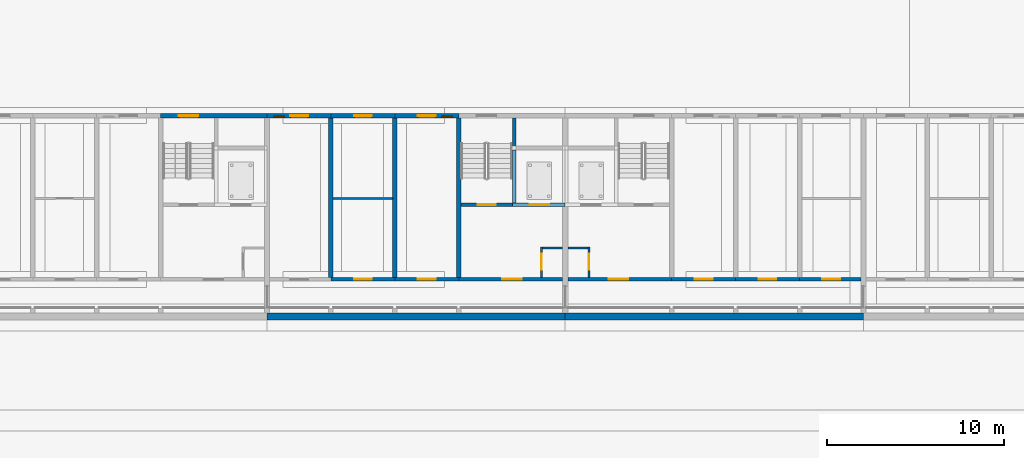
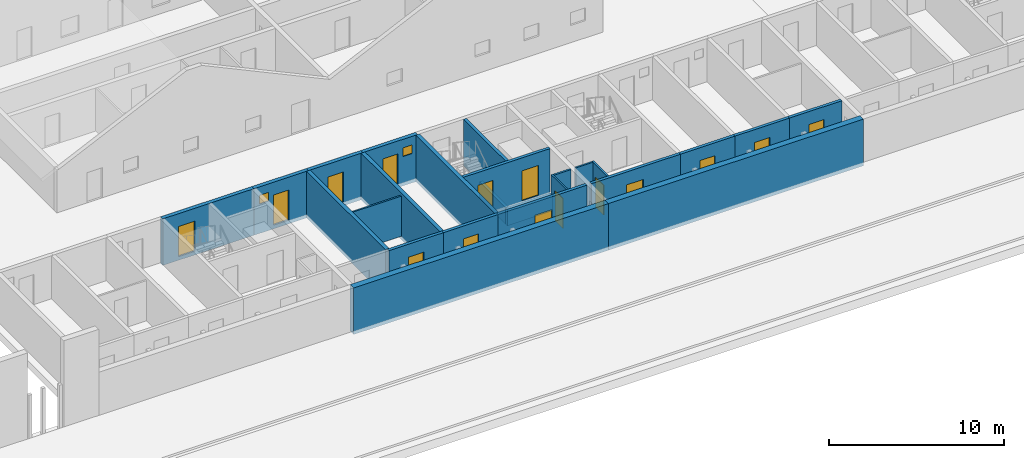
# One storey, part 38 of 112: 25 walls, 15 doors, 2 windows, 17 openings.
"""IFC4 building model written with IfcOpenShell, lengths in metres."""

from ifc_helpers import new_model, si_unit, direction, frame, frame_2d, origin, place, context, subcontext, project, spatial, rectangle, extrude, material, layer, layer_set, type_object, element, fill, save


model = new_model("IFC4")

# Units and contexts
model_context = context("Model", 3, precision=1e-05, world=origin(), true_north=direction((0.0, 1.0)))
body_context = subcontext(model_context, "Body", "Model", "MODEL_VIEW")
ifc_project = project(units=[si_unit("LENGTHUNIT", "METRE"), si_unit("AREAUNIT", "SQUARE_METRE"), si_unit("VOLUMEUNIT", "CUBIC_METRE"), si_unit("PLANEANGLEUNIT", "RADIAN"), si_unit("MASSUNIT", "GRAM", prefix="KILO")], contexts=[model_context])

# Site, building, storey
site_placement = place(None, origin())
site = spatial("IfcSite", under=ifc_project, at=site_placement, CompositionType="ELEMENT")
building_placement = place(site_placement, origin())
building = spatial("IfcBuilding", under=site, at=building_placement, Name="Ridgestep Commons", CompositionType="ELEMENT")
storey_placement = place(building_placement, origin())
storey = spatial("IfcBuildingStorey", under=building, at=storey_placement, Name="L00", CompositionType="ELEMENT", Elevation=0.0)

# Wall
ifc_material_1 = material(Name="Concrete C30/37", Category="concrete")
ifc_layer_1 = layer(ifc_material_1, 0.25)
ifc_layer_set_1 = layer_set([ifc_layer_1], Name="Core cross wall 250")
wall_type_1 = type_object("IfcWallType", Name="Core cross wall 250", PredefinedType="SHEAR", material=ifc_layer_set_1)
wall_1_placement = place(storey_placement, frame((39.60009765625, 13.75, -0.25), z_axis=(0.0, 0.0, 1.0), x_axis=(0.0, 1.0, 0.0)))
element("IfcWall", 1, at=wall_1_placement, inside=storey, type_object=wall_type_1, Name="Cross wall A-00-0396", PredefinedType="SHEAR", context=body_context, shape_type="SweptSolid", body=[
    extrude(rectangle(XDim=9.0, YDim=0.25, at=frame_2d((4.5, 0.0))), origin(), (0.0, 0.0, 1.0), 3.25),
])

# Wall, opening, door
ifc_material_2 = material(Name="Concrete C30/37", Category="concrete")
ifc_layer_2 = layer(ifc_material_2, 0.199951171875)
ifc_layer_set_2 = layer_set([ifc_layer_2], Name="Core south wall 200")
wall_type_2 = type_object("IfcWallType", Name="Core south wall 200", PredefinedType="SHEAR", material=ifc_layer_set_2)
wall_2_placement = place(storey_placement, frame((39.60009765625, 13.64990234375, -0.25), z_axis=(0.0, 0.0, 1.0), x_axis=(1.0, 0.0, 0.0)))
wall_2 = element("IfcWall", 2, at=wall_2_placement, inside=storey, type_object=wall_type_2, Name="Core south wall A2C L00", PredefinedType="SHEAR", context=body_context, shape_type="SweptSolid", body=[
    extrude(rectangle(XDim=5.849853515625, YDim=0.199951171875, at=frame_2d((2.9248046875, 0.0))), origin(), (0.0, 0.0, 1.0), 3.25),
])
opening_1_placement = place(wall_2_placement, frame((2.4375, 0.0, 0.25)))
opening_1 = element("IfcOpeningElement", 3, at=opening_1_placement, cuts=wall_2, Name="Opening A2C/00/1", PredefinedType="OPENING", context=body_context, shape_type="SweptSolid", body=[
    extrude(rectangle(XDim=1.10009765625, YDim=2.10009765625, at=frame_2d((0.550048828125, 1.050048828125))), frame((0.0, 0.10986328125, 0.0), z_axis=(0.0, -1.0, 0.0), x_axis=(1.0, 0.0, 0.0)), (0.0, 0.0, 1.0), 0.219970703125),
])
ifc_material_3 = material(Name="Steel fire door", Category="steel")
door_type_1 = type_object("IfcDoorType", Name="Lobby door 1100 x 2100 FD60", OperationType="NOTDEFINED", PredefinedType="DOOR", material=ifc_material_3)
door_1_placement = place(opening_1_placement, origin())
door_1 = element("IfcDoor", 4, at=door_1_placement, inside=storey, type_object=door_type_1, Name="Lobby door A2C/00/1", OperationType="SINGLE_SWING_LEFT", OverallHeight=2.10009765625, OverallWidth=1.10009765625, PredefinedType="DOOR", context=body_context, shape_type="SweptSolid", body=[
    extrude(rectangle(XDim=1.10009765625, YDim=2.10009765625, at=frame_2d((0.550048828125, 1.050048828125))), frame((0.0, 0.02490234375, 0.0), z_axis=(0.0, -1.0, 0.0), x_axis=(1.0, 0.0, 0.0)), (0.0, 0.0, 1.0), 0.050048828125),
])
fill(opening_1, door_1)

wall_3_placement = place(storey_placement, frame((45.75, 13.64990234375, -0.25), z_axis=(0.0, 0.0, 1.0), x_axis=(1.0, 0.0, 0.0)))
wall_3 = element("IfcWall", 5, at=wall_3_placement, inside=storey, type_object=wall_type_2, Name="Core south wall A3C L00", PredefinedType="SHEAR", context=body_context, shape_type="SweptSolid", body=[
    extrude(rectangle(XDim=5.85009765625, YDim=0.199951171875, at=frame_2d((2.925048828125, 0.0))), origin(), (0.0, 0.0, 1.0), 3.25),
])
opening_2_placement = place(wall_3_placement, frame((2.3125, 0.0, 0.25)))
opening_2 = element("IfcOpeningElement", 6, at=opening_2_placement, cuts=wall_3, Name="Opening A3C/00/1", PredefinedType="OPENING", context=body_context, shape_type="SweptSolid", body=[
    extrude(rectangle(XDim=1.10009765625, YDim=2.10009765625, at=frame_2d((0.550048828125, 1.050048828125))), frame((0.0, 0.10986328125, 0.0), z_axis=(0.0, -1.0, 0.0), x_axis=(1.0, 0.0, 0.0)), (0.0, 0.0, 1.0), 0.219970703125),
])
door_2_placement = place(opening_2_placement, origin())
door_2 = element("IfcDoor", 7, at=door_2_placement, inside=storey, type_object=door_type_1, Name="Lobby door A3C/00/1", OperationType="SINGLE_SWING_LEFT", OverallHeight=2.10009765625, OverallWidth=1.10009765625, PredefinedType="DOOR", context=body_context, shape_type="SweptSolid", body=[
    extrude(rectangle(XDim=1.10009765625, YDim=2.10009765625, at=frame_2d((0.550048828125, 1.050048828125))), frame((0.0, 0.02490234375, 0.0), z_axis=(0.0, -1.0, 0.0), x_axis=(1.0, 0.0, 0.0)), (0.0, 0.0, 1.0), 0.050048828125),
])
fill(opening_2, door_2)

ifc_material_4 = material(Name="Concrete C30/37", Category="concrete")
ifc_layer_3 = layer(ifc_material_4, 0.1201171875)
ifc_layer_set_3 = layer_set([ifc_layer_3], Name="Core wall 120")
wall_type_3 = type_object("IfcWallType", Name="Core wall 120", PredefinedType="SHEAR", material=ifc_layer_set_3)
wall_4_placement = place(storey_placement, frame((44.260009765625, 13.75, -0.25), z_axis=(0.0, 0.0, 1.0), x_axis=(0.0, 1.0, 0.0)))
wall_4 = element("IfcWall", 8, at=wall_4_placement, inside=storey, type_object=wall_type_3, Name="Core riser w wall A2C L00", PredefinedType="SHEAR", context=body_context, shape_type="SweptSolid", body=[
    extrude(rectangle(XDim=1.719970703125, YDim=0.1201171875, at=frame_2d((0.85986328125, 0.0))), origin(), (0.0, 0.0, 1.0), 3.25),
])
opening_3_placement = place(wall_4_placement, frame((0.449951171875, 0.0, 0.25)))
opening_3 = element("IfcOpeningElement", 9, at=opening_3_placement, cuts=wall_4, Name="Opening A2C/00/4", PredefinedType="OPENING", context=body_context, shape_type="SweptSolid", body=[
    extrude(rectangle(XDim=0.89990234375, YDim=2.10009765625, at=frame_2d((0.449951171875, 1.050048828125))), frame((0.0, 0.070068359375, 0.0), z_axis=(0.0, -1.0, 0.0), x_axis=(1.0, 0.0, 0.0)), (0.0, 0.0, 1.0), 0.14013671875),
])
ifc_material_5 = material(Name="Steel fire door", Category="steel")
door_type_2 = type_object("IfcDoorType", Name="Riser door 900 x 2100 FD60", OperationType="NOTDEFINED", PredefinedType="DOOR", material=ifc_material_5)
door_3_placement = place(opening_3_placement, origin())
door_3 = element("IfcDoor", 10, at=door_3_placement, inside=storey, type_object=door_type_2, Name="Riser door A2C/00/4", OperationType="SINGLE_SWING_LEFT", OverallHeight=2.10009765625, OverallWidth=0.89990234375, PredefinedType="DOOR", context=body_context, shape_type="SweptSolid", body=[
    extrude(rectangle(XDim=0.89990234375, YDim=2.10009765625, at=frame_2d((0.449951171875, 1.050048828125))), frame((0.0, 0.02490234375, 0.0), z_axis=(0.0, -1.0, 0.0), x_axis=(1.0, 0.0, 0.0)), (0.0, 0.0, 1.0), 0.050048828125),
])
fill(opening_3, door_3)

# Wall
wall_5_placement = place(storey_placement, frame((44.320068359375, 15.409912109375, -0.25), z_axis=(0.0, 0.0, 1.0), x_axis=(1.0, 0.0, 0.0)))
element("IfcWall", 11, at=wall_5_placement, inside=storey, type_object=wall_type_3, Name="Core riser n wall A2C L00", PredefinedType="SHEAR", context=body_context, shape_type="SweptSolid", body=[
    extrude(rectangle(XDim=1.1298828125, YDim=0.1201171875, at=frame_2d((0.56494140625, 0.0))), origin(), (0.0, 0.0, 1.0), 3.25),
])

# Wall, opening, door
wall_6_placement = place(storey_placement, frame((46.93994140625, 13.75, -0.25), z_axis=(0.0, 0.0, 1.0), x_axis=(0.0, 1.0, 0.0)))
wall_6 = element("IfcWall", 12, at=wall_6_placement, inside=storey, type_object=wall_type_3, Name="Core riser w wall A3C L00", PredefinedType="SHEAR", context=body_context, shape_type="SweptSolid", body=[
    extrude(rectangle(XDim=1.719970703125, YDim=0.1201171875, at=frame_2d((0.85986328125, 0.0))), origin(), (0.0, 0.0, 1.0), 3.25),
])
opening_4_placement = place(wall_6_placement, frame((0.449951171875, 0.0, 0.25)))
opening_4 = element("IfcOpeningElement", 13, at=opening_4_placement, cuts=wall_6, Name="Opening A3C/00/4", PredefinedType="OPENING", context=body_context, shape_type="SweptSolid", body=[
    extrude(rectangle(XDim=0.89990234375, YDim=2.10009765625, at=frame_2d((0.449951171875, 1.050048828125))), frame((0.0, 0.070068359375, 0.0), z_axis=(0.0, -1.0, 0.0), x_axis=(1.0, 0.0, 0.0)), (0.0, 0.0, 1.0), 0.14013671875),
])
door_4_placement = place(opening_4_placement, origin())
door_4 = element("IfcDoor", 14, at=door_4_placement, inside=storey, type_object=door_type_2, Name="Riser door A3C/00/4", OperationType="SINGLE_SWING_RIGHT", OverallHeight=2.10009765625, OverallWidth=0.89990234375, PredefinedType="DOOR", context=body_context, shape_type="SweptSolid", body=[
    extrude(rectangle(XDim=0.89990234375, YDim=2.10009765625, at=frame_2d((0.449951171875, 1.050048828125))), frame((0.0, 0.02490234375, 0.0), z_axis=(0.0, -1.0, 0.0), x_axis=(1.0, 0.0, 0.0)), (0.0, 0.0, 1.0), 0.050048828125),
])
fill(opening_4, door_4)

# Wall
wall_7_placement = place(storey_placement, frame((45.75, 15.409912109375, -0.25), z_axis=(0.0, 0.0, 1.0), x_axis=(1.0, 0.0, 0.0)))
element("IfcWall", 15, at=wall_7_placement, inside=storey, type_object=wall_type_3, Name="Core riser n wall A3C L00", PredefinedType="SHEAR", context=body_context, shape_type="SweptSolid", body=[
    extrude(rectangle(XDim=1.1298828125, YDim=0.1201171875, at=frame_2d((0.56494140625, 0.0))), origin(), (0.0, 0.0, 1.0), 3.25),
])

# Wall, openings, doors
ifc_material_6 = material(Name="Concrete C30/37", Category="concrete")
ifc_layer_4 = layer(ifc_material_6, 0.199951171875)
ifc_layer_set_4 = layer_set([ifc_layer_4], Name="Core wall 200")
wall_type_4 = type_object("IfcWallType", Name="Core wall 200", PredefinedType="SHEAR", material=ifc_layer_set_4)
wall_8_placement = place(storey_placement, frame((39.72509765625, 17.85009765625, -0.25), z_axis=(0.0, 0.0, 1.0), x_axis=(1.0, 0.0, 0.0)))
wall_8 = element("IfcWall", 16, at=wall_8_placement, inside=storey, type_object=wall_type_4, Name="Core lobby wall A2C L00", PredefinedType="SHEAR", context=body_context, shape_type="SweptSolid", body=[
    extrude(rectangle(XDim=5.724853515625, YDim=0.199951171875, at=frame_2d((2.8623046875, 0.0))), origin(), (0.0, 0.0, 1.0), 3.25),
])
opening_5_placement = place(wall_8_placement, frame((0.949951171875, 0.0, 0.25)))
opening_5 = element("IfcOpeningElement", 17, at=opening_5_placement, cuts=wall_8, Name="Opening A2C/00/2", PredefinedType="OPENING", context=body_context, shape_type="SweptSolid", body=[
    extrude(rectangle(XDim=1.0, YDim=2.10009765625, at=frame_2d((0.5, 1.050048828125))), frame((0.0, 0.10986328125, 0.0), z_axis=(0.0, -1.0, 0.0), x_axis=(1.0, 0.0, 0.0)), (0.0, 0.0, 1.0), 0.219970703125),
])
opening_6_placement = place(wall_8_placement, frame((3.862548828125, 0.0, 0.25)))
opening_6 = element("IfcOpeningElement", 18, at=opening_6_placement, cuts=wall_8, Name="Opening A2C/00/3", PredefinedType="OPENING", context=body_context, shape_type="SweptSolid", body=[
    extrude(rectangle(XDim=1.10009765625, YDim=2.10009765625, at=frame_2d((0.550048828125, 1.050048828125))), frame((0.0, 0.10986328125, 0.0), z_axis=(0.0, -1.0, 0.0), x_axis=(1.0, 0.0, 0.0)), (0.0, 0.0, 1.0), 0.219970703125),
])
ifc_material_7 = material(Name="Stainless steel", Category="steel")
door_type_3 = type_object("IfcDoorType", Name="Lift landing door 1100 x 2100 FD60", OperationType="DOUBLE_DOOR_SLIDING", PredefinedType="DOOR", material=ifc_material_7)
door_5_placement = place(opening_6_placement, origin())
door_5 = element("IfcDoor", 19, at=door_5_placement, inside=storey, type_object=door_type_3, Name="Landing door LD A2C L00", OperationType="DOUBLE_DOOR_SLIDING", OverallHeight=2.10009765625, OverallWidth=1.10009765625, PredefinedType="DOOR", context=body_context, shape_type="SweptSolid", body=[
    extrude(rectangle(XDim=1.10009765625, YDim=2.10009765625, at=frame_2d((0.550048828125, 1.050048828125))), frame((0.0, 0.02490234375, 0.0), z_axis=(0.0, -1.0, 0.0), x_axis=(1.0, 0.0, 0.0)), (0.0, 0.0, 1.0), 0.050048828125),
])
fill(opening_6, door_5)
ifc_material_8 = material(Name="Steel fire door", Category="steel")
door_type_4 = type_object("IfcDoorType", Name="Stair door 1000 x 2100 FD60", OperationType="NOTDEFINED", PredefinedType="DOOR", material=ifc_material_8)
door_6_placement = place(opening_5_placement, origin())
door_6 = element("IfcDoor", 20, at=door_6_placement, inside=storey, type_object=door_type_4, Name="Stair door A2C/00/2", OperationType="SINGLE_SWING_RIGHT", OverallHeight=2.10009765625, OverallWidth=1.0, PredefinedType="DOOR", context=body_context, shape_type="SweptSolid", body=[
    extrude(rectangle(XDim=1.0, YDim=2.10009765625, at=frame_2d((0.5, 1.050048828125))), frame((0.0, 0.02490234375, 0.0), z_axis=(0.0, -1.0, 0.0), x_axis=(1.0, 0.0, 0.0)), (0.0, 0.0, 1.0), 0.050048828125),
])
fill(opening_5, door_6)

# Walls
wall_9_placement = place(storey_placement, frame((42.72509765625, 17.949951171875, -0.25), z_axis=(0.0, 0.0, 1.0), x_axis=(0.0, 1.0, 0.0)))
element("IfcWall", 21, at=wall_9_placement, inside=storey, type_object=wall_type_4, Name="Core stair wall A2C L00", PredefinedType="SHEAR", context=body_context, shape_type="SweptSolid", body=[
    extrude(rectangle(XDim=4.800048828125, YDim=0.199951171875, at=frame_2d((2.39990234375, 0.0))), origin(), (0.0, 0.0, 1.0), 3.25),
])
wall_10_placement = place(storey_placement, frame((42.625, 17.85009765625, -1.39990234375), z_axis=(0.0, 0.0, 1.0), x_axis=(1.0, 0.0, 0.0)))
element("IfcWall", 22, at=wall_10_placement, inside=storey, type_object=wall_type_4, Name="Lift pit wall A2C", PredefinedType="SHEAR", context=body_context, shape_type="SweptSolid", body=[
    extrude(rectangle(XDim=2.97509765625, YDim=0.199951171875, at=frame_2d((1.487548828125, 0.0))), origin(), (0.0, 0.0, 1.0), 1.14990234375),
])
wall_11_placement = place(storey_placement, frame((42.72509765625, 17.949951171875, -1.39990234375), z_axis=(0.0, 0.0, 1.0), x_axis=(0.0, 1.0, 0.0)))
element("IfcWall", 23, at=wall_11_placement, inside=storey, type_object=wall_type_4, Name="Lift pit wall A2C", PredefinedType="SHEAR", context=body_context, shape_type="SweptSolid", body=[
    extrude(rectangle(XDim=3.0, YDim=0.199951171875, at=frame_2d((1.5, 0.0))), origin(), (0.0, 0.0, 1.0), 1.14990234375),
])
ifc_material_9 = material(Name="Precast concrete C40/50", Category="concrete")
ifc_layer_5 = layer(ifc_material_9, 0.25)
ifc_layer_set_5 = layer_set([ifc_layer_5], Name="Cross wall 250")
wall_type_5 = type_object("IfcWallType", Name="Cross wall 250", PredefinedType="SHEAR", material=ifc_layer_set_5)
for number, where, z_axis, x_axis, name in (
    (24, (32.39990234375, 13.75, -0.25), (0.0, 0.0, 1.0), (0.0, 1.0, 0.0), "Cross wall A-00-0324"),
    (25, (36.0, 13.75, -0.25), (0.0, 0.0, 1.0), (0.0, 1.0, 0.0), "Cross wall A-00-0360"),
):
    element("IfcWall", number, at=place(storey_placement, frame(where, z_axis=z_axis, x_axis=x_axis)), inside=storey, type_object=wall_type_5, Name=name, PredefinedType="SHEAR", context=body_context, shape_type="SweptSolid", body=[
        extrude(rectangle(XDim=9.0, YDim=0.25, at=frame_2d((4.5, 0.0))), origin(), (0.0, 0.0, 1.0), 3.25),
    ])

# Wall, opening, door
ifc_material_10 = material(Name="Precast concrete C40/50", Category="concrete")
ifc_layer_6 = layer(ifc_material_10, 0.25)
ifc_layer_set_6 = layer_set([ifc_layer_6], Name="North facade panel 250")
wall_type_6 = type_object("IfcWallType", Name="North facade panel 250", PredefinedType="SOLIDWALL", material=ifc_layer_set_6)
wall_12_placement = place(storey_placement, frame((22.800048828125, 22.875, -0.25), z_axis=(0.0, 0.0, 1.0), x_axis=(1.0, 0.0, 0.0)))
wall_12 = element("IfcWall", 26, at=wall_12_placement, inside=storey, type_object=wall_type_6, Name="North panel A1C L00", PredefinedType="SOLIDWALL", context=body_context, shape_type="SweptSolid", body=[
    extrude(rectangle(XDim=6.0, YDim=0.25, at=frame_2d((3.0, 0.0))), origin(), (0.0, 0.0, 1.0), 3.25),
])
opening_7_placement = place(wall_12_placement, frame((1.02490234375, 0.0, 0.25)))
opening_7 = element("IfcOpeningElement", 27, at=opening_7_placement, cuts=wall_12, Name="Opening A1C/00/5", PredefinedType="OPENING", context=body_context, shape_type="SweptSolid", body=[
    extrude(rectangle(XDim=1.10009765625, YDim=2.10009765625, at=frame_2d((0.550048828125, 1.050048828125))), frame((0.0, 0.135009765625, 0.0), z_axis=(0.0, -1.0, 0.0), x_axis=(1.0, 0.0, 0.0)), (0.0, 0.0, 1.0), 0.27001953125),
])
ifc_material_11 = material(Name="Steel fire door", Category="steel")
door_type_5 = type_object("IfcDoorType", Name="Stair exit door 1100 x 2100 FD60", OperationType="NOTDEFINED", PredefinedType="DOOR", material=ifc_material_11)
door_7_placement = place(opening_7_placement, origin())
door_7 = element("IfcDoor", 28, at=door_7_placement, inside=storey, type_object=door_type_5, Name="Stair exit door A1C/00/5", OperationType="SINGLE_SWING_LEFT", OverallHeight=2.10009765625, OverallWidth=1.10009765625, PredefinedType="DOOR", context=body_context, shape_type="SweptSolid", body=[
    extrude(rectangle(XDim=1.10009765625, YDim=2.10009765625, at=frame_2d((0.550048828125, 1.050048828125))), frame((0.0, 0.02490234375, 0.0), z_axis=(0.0, -1.0, 0.0), x_axis=(1.0, 0.0, 0.0)), (0.0, 0.0, 1.0), 0.050048828125),
])
fill(opening_7, door_7)

# Wall, openings, door, window
wall_13_placement = place(storey_placement, frame((28.800048828125, 22.875, -0.25), z_axis=(0.0, 0.0, 1.0), x_axis=(1.0, 0.0, 0.0)))
wall_13 = element("IfcWall", 29, at=wall_13_placement, inside=storey, type_object=wall_type_6, Name="North panel A2T1 L00", PredefinedType="SOLIDWALL", context=body_context, shape_type="SweptSolid", body=[
    extrude(rectangle(XDim=3.599853515625, YDim=0.25, at=frame_2d((1.7998046875, 0.0))), origin(), (0.0, 0.0, 1.0), 3.25),
])
opening_8_placement = place(wall_13_placement, frame((0.38134765625, 0.0, 2.050048828125)))
opening_8 = element("IfcOpeningElement", 30, at=opening_8_placement, cuts=wall_13, Name="Opening W01", PredefinedType="OPENING", context=body_context, shape_type="SweptSolid", body=[
    extrude(rectangle(XDim=0.60009765625, YDim=0.60009765625, at=frame_2d((0.300048828125, 0.300048828125))), frame((0.0, 0.135009765625, 0.0), z_axis=(0.0, -1.0, 0.0), x_axis=(1.0, 0.0, 0.0)), (0.0, 0.0, 1.0), 0.27001953125),
])
opening_9_placement = place(wall_13_placement, frame((1.3125, 0.0, 0.25)))
opening_9 = element("IfcOpeningElement", 31, at=opening_9_placement, cuts=wall_13, Name="Opening A2-00p/2", PredefinedType="OPENING", context=body_context, shape_type="SweptSolid", body=[
    extrude(rectangle(XDim=1.0, YDim=2.10009765625, at=frame_2d((0.5, 1.050048828125))), frame((0.0, 0.135009765625, 0.0), z_axis=(0.0, -1.0, 0.0), x_axis=(1.0, 0.0, 0.0)), (0.0, 0.0, 1.0), 0.27001953125),
])
ifc_material_12 = material(Name="Steel door leaf", Category="steel")
door_type_6 = type_object("IfcDoorType", Name="Exterior door 1000 x 2100", OperationType="NOTDEFINED", PredefinedType="DOOR", material=ifc_material_12)
door_8_placement = place(opening_9_placement, origin())
door_8 = element("IfcDoor", 32, at=door_8_placement, inside=storey, type_object=door_type_6, Name="Exterior door A2-00p/2", OperationType="SINGLE_SWING_LEFT", OverallHeight=2.10009765625, OverallWidth=1.0, PredefinedType="DOOR", context=body_context, shape_type="SweptSolid", body=[
    extrude(rectangle(XDim=1.0, YDim=2.10009765625, at=frame_2d((0.5, 1.050048828125))), frame((0.0, 0.02490234375, 0.0), z_axis=(0.0, -1.0, 0.0), x_axis=(1.0, 0.0, 0.0)), (0.0, 0.0, 1.0), 0.050048828125),
])
fill(opening_9, door_8)
ifc_material_13 = material(Name="Aluminium 6063-T6 and glass", Category="aluminium")
window_type = type_object("IfcWindowType", Name="Flat window 600 x 600", PartitioningType="SINGLE_PANEL", PredefinedType="WINDOW", material=ifc_material_13)
window_1_placement = place(opening_8_placement, origin())
window_1 = element("IfcWindow", 33, at=window_1_placement, inside=storey, type_object=window_type, Name="Window A2-00p 2", OverallHeight=0.60009765625, OverallWidth=0.60009765625, PartitioningType="SINGLE_PANEL", PredefinedType="WINDOW", context=body_context, shape_type="SweptSolid", body=[
    extrude(rectangle(XDim=0.60009765625, YDim=0.60009765625, at=frame_2d((0.300048828125, 0.300048828125))), frame((0.0, -0.02490234375, 0.0), z_axis=(0.0, -1.0, 0.0), x_axis=(1.0, 0.0, 0.0)), (0.0, 0.0, 1.0), 0.06005859375),
])
fill(opening_8, window_1)

# Wall, opening, door
wall_14_placement = place(storey_placement, frame((32.39990234375, 22.875, -0.25), z_axis=(0.0, 0.0, 1.0), x_axis=(1.0, 0.0, 0.0)))
wall_14 = element("IfcWall", 34, at=wall_14_placement, inside=storey, type_object=wall_type_6, Name="North panel A2T2 L00", PredefinedType="SOLIDWALL", context=body_context, shape_type="SweptSolid", body=[
    extrude(rectangle(XDim=3.60009765625, YDim=0.25, at=frame_2d((1.800048828125, 0.0))), origin(), (0.0, 0.0, 1.0), 3.25),
])
opening_10_placement = place(wall_14_placement, frame((1.300048828125, 0.0, 0.25)))
opening_10 = element("IfcOpeningElement", 35, at=opening_10_placement, cuts=wall_14, Name="Opening A2-00p/4", PredefinedType="OPENING", context=body_context, shape_type="SweptSolid", body=[
    extrude(rectangle(XDim=1.0, YDim=2.10009765625, at=frame_2d((0.5, 1.050048828125))), frame((0.0, 0.135009765625, 0.0), z_axis=(0.0, -1.0, 0.0), x_axis=(1.0, 0.0, 0.0)), (0.0, 0.0, 1.0), 0.27001953125),
])
door_9_placement = place(opening_10_placement, origin())
door_9 = element("IfcDoor", 36, at=door_9_placement, inside=storey, type_object=door_type_6, Name="Exterior door A2-00p/4", OperationType="SINGLE_SWING_LEFT", OverallHeight=2.10009765625, OverallWidth=1.0, PredefinedType="DOOR", context=body_context, shape_type="SweptSolid", body=[
    extrude(rectangle(XDim=1.0, YDim=2.10009765625, at=frame_2d((0.5, 1.050048828125))), frame((0.0, 0.02490234375, 0.0), z_axis=(0.0, -1.0, 0.0), x_axis=(1.0, 0.0, 0.0)), (0.0, 0.0, 1.0), 0.050048828125),
])
fill(opening_10, door_9)

# Wall, openings, door, window
wall_15_placement = place(storey_placement, frame((36.0, 22.875, -0.25), z_axis=(0.0, 0.0, 1.0), x_axis=(1.0, 0.0, 0.0)))
wall_15 = element("IfcWall", 37, at=wall_15_placement, inside=storey, type_object=wall_type_6, Name="North panel A2T3 L00", PredefinedType="SOLIDWALL", context=body_context, shape_type="SweptSolid", body=[
    extrude(rectangle(XDim=3.60009765625, YDim=0.25, at=frame_2d((1.800048828125, 0.0))), origin(), (0.0, 0.0, 1.0), 3.25),
])
opening_11_placement = place(wall_15_placement, frame((2.637451171875, 0.0, 2.050048828125)))
opening_11 = element("IfcOpeningElement", 38, at=opening_11_placement, cuts=wall_15, Name="Opening W01", PredefinedType="OPENING", context=body_context, shape_type="SweptSolid", body=[
    extrude(rectangle(XDim=0.60009765625, YDim=0.60009765625, at=frame_2d((0.300048828125, 0.300048828125))), frame((0.0, 0.135009765625, 0.0), z_axis=(0.0, -1.0, 0.0), x_axis=(1.0, 0.0, 0.0)), (0.0, 0.0, 1.0), 0.27001953125),
])
opening_12_placement = place(wall_15_placement, frame((1.300048828125, 0.0, 0.25)))
opening_12 = element("IfcOpeningElement", 39, at=opening_12_placement, cuts=wall_15, Name="Opening A2-00p/6", PredefinedType="OPENING", context=body_context, shape_type="SweptSolid", body=[
    extrude(rectangle(XDim=1.0, YDim=2.10009765625, at=frame_2d((0.5, 1.050048828125))), frame((0.0, 0.135009765625, 0.0), z_axis=(0.0, -1.0, 0.0), x_axis=(1.0, 0.0, 0.0)), (0.0, 0.0, 1.0), 0.27001953125),
])
door_10_placement = place(opening_12_placement, origin())
door_10 = element("IfcDoor", 40, at=door_10_placement, inside=storey, type_object=door_type_6, Name="Exterior door A2-00p/6", OperationType="SINGLE_SWING_LEFT", OverallHeight=2.10009765625, OverallWidth=1.0, PredefinedType="DOOR", context=body_context, shape_type="SweptSolid", body=[
    extrude(rectangle(XDim=1.0, YDim=2.10009765625, at=frame_2d((0.5, 1.050048828125))), frame((0.0, 0.02490234375, 0.0), z_axis=(0.0, -1.0, 0.0), x_axis=(1.0, 0.0, 0.0)), (0.0, 0.0, 1.0), 0.050048828125),
])
fill(opening_12, door_10)
window_2_placement = place(opening_11_placement, origin())
window_2 = element("IfcWindow", 41, at=window_2_placement, inside=storey, type_object=window_type, Name="Window A2-00p 4", OverallHeight=0.60009765625, OverallWidth=0.60009765625, PartitioningType="SINGLE_PANEL", PredefinedType="WINDOW", context=body_context, shape_type="SweptSolid", body=[
    extrude(rectangle(XDim=0.60009765625, YDim=0.60009765625, at=frame_2d((0.300048828125, 0.300048828125))), frame((0.0, -0.02490234375, 0.0), z_axis=(0.0, -1.0, 0.0), x_axis=(1.0, 0.0, 0.0)), (0.0, 0.0, 1.0), 0.06005859375),
])
fill(opening_11, window_2)

# Walls
ifc_material_14 = material(Name="Common brick 110 mm", Category="masonry")
ifc_layer_7 = layer(ifc_material_14, 0.110107421875)
ifc_layer_set_7 = layer_set([ifc_layer_7], Name="Partition 110")
wall_type_7 = type_object("IfcWallType", Name="Partition 110", PredefinedType="PARTITIONING", material=ifc_layer_set_7)
wall_16_placement = place(storey_placement, frame((32.52490234375, 18.205078125, 0.0), z_axis=(0.0, 0.0, 1.0), x_axis=(1.0, 0.0, 0.0)))
element("IfcWall", 42, at=wall_16_placement, inside=storey, type_object=wall_type_7, Name="Partition A2-00p", PredefinedType="PARTITIONING", context=body_context, shape_type="SweptSolid", body=[
    extrude(rectangle(XDim=3.35009765625, YDim=0.110107421875, at=frame_2d((1.675048828125, 0.0))), origin(), (0.0, 0.0, 1.0), 2.800048828125),
])
ifc_material_15 = material(Name="Concrete C30/37", Category="concrete")
ifc_layer_8 = layer(ifc_material_15, 0.39990234375)
ifc_layer_set_8 = layer_set([ifc_layer_8], Name="Plinth retaining wall 400")
wall_type_8 = type_object("IfcWallType", Name="Plinth retaining wall 400", PredefinedType="SOLIDWALL", material=ifc_layer_set_8)
wall_17_placement = place(storey_placement, frame((28.800048828125, 11.550048828125, -0.25), z_axis=(0.0, 0.0, 1.0), x_axis=(1.0, 0.0, 0.0)))
element("IfcWall", 43, at=wall_17_placement, inside=storey, type_object=wall_type_8, Name="Plinth retaining wall A2 L00", PredefinedType="SOLIDWALL", context=body_context, shape_type="SweptSolid", body=[
    extrude(rectangle(XDim=16.800048828125, YDim=0.39990234375, at=frame_2d((8.39990234375, 0.0))), origin(), (0.0, 0.0, 1.0), 3.25),
])
wall_18_placement = place(storey_placement, frame((45.60009765625, 11.550048828125, -0.25), z_axis=(0.0, 0.0, 1.0), x_axis=(1.0, 0.0, 0.0)))
element("IfcWall", 44, at=wall_18_placement, inside=storey, type_object=wall_type_8, Name="Plinth retaining wall A3 L00", PredefinedType="SOLIDWALL", context=body_context, shape_type="SweptSolid", body=[
    extrude(rectangle(XDim=16.7998046875, YDim=0.39990234375, at=frame_2d((8.39990234375, 0.0))), origin(), (0.0, 0.0, 1.0), 3.25),
])

# Wall, opening, door
ifc_material_16 = material(Name="Precast concrete C40/50", Category="concrete")
ifc_layer_9 = layer(ifc_material_16, 0.199951171875)
ifc_layer_set_9 = layer_set([ifc_layer_9], Name="South facade panel 200")
wall_type_9 = type_object("IfcWallType", Name="South facade panel 200", PredefinedType="SOLIDWALL", material=ifc_layer_set_9)
wall_19_placement = place(storey_placement, frame((32.39990234375, 13.64990234375, -0.25), z_axis=(0.0, 0.0, 1.0), x_axis=(1.0, 0.0, 0.0)))
wall_19 = element("IfcWall", 45, at=wall_19_placement, inside=storey, type_object=wall_type_9, Name="South panel A2T2 L00", PredefinedType="SOLIDWALL", context=body_context, shape_type="SweptSolid", body=[
    extrude(rectangle(XDim=3.60009765625, YDim=0.199951171875, at=frame_2d((1.800048828125, 0.0))), origin(), (0.0, 0.0, 1.0), 3.25),
])
opening_13_placement = place(wall_19_placement, frame((1.300048828125, 0.0, 0.25)))
opening_13 = element("IfcOpeningElement", 46, at=opening_13_placement, cuts=wall_19, Name="Opening A2-00p/3", PredefinedType="OPENING", context=body_context, shape_type="SweptSolid", body=[
    extrude(rectangle(XDim=1.0, YDim=2.10009765625, at=frame_2d((0.5, 1.050048828125))), frame((0.0, 0.10986328125, 0.0), z_axis=(0.0, -1.0, 0.0), x_axis=(1.0, 0.0, 0.0)), (0.0, 0.0, 1.0), 0.219970703125),
])
ifc_material_17 = material(Name="Steel door leaf", Category="steel")
door_type_7 = type_object("IfcDoorType", Name="Store door 1000 x 2100", OperationType="NOTDEFINED", PredefinedType="DOOR", material=ifc_material_17)
door_11_placement = place(opening_13_placement, origin())
door_11 = element("IfcDoor", 47, at=door_11_placement, inside=storey, type_object=door_type_7, Name="Store door A2-00p/3", OperationType="SINGLE_SWING_RIGHT", OverallHeight=2.10009765625, OverallWidth=1.0, PredefinedType="DOOR", context=body_context, shape_type="SweptSolid", body=[
    extrude(rectangle(XDim=1.0, YDim=2.10009765625, at=frame_2d((0.5, 1.050048828125))), frame((0.0, 0.02490234375, 0.0), z_axis=(0.0, -1.0, 0.0), x_axis=(1.0, 0.0, 0.0)), (0.0, 0.0, 1.0), 0.050048828125),
])
fill(opening_13, door_11)

wall_20_placement = place(storey_placement, frame((36.0, 13.64990234375, -0.25), z_axis=(0.0, 0.0, 1.0), x_axis=(1.0, 0.0, 0.0)))
wall_20 = element("IfcWall", 48, at=wall_20_placement, inside=storey, type_object=wall_type_9, Name="South panel A2T3 L00", PredefinedType="SOLIDWALL", context=body_context, shape_type="SweptSolid", body=[
    extrude(rectangle(XDim=3.60009765625, YDim=0.199951171875, at=frame_2d((1.800048828125, 0.0))), origin(), (0.0, 0.0, 1.0), 3.25),
])
opening_14_placement = place(wall_20_placement, frame((1.300048828125, 0.0, 0.25)))
opening_14 = element("IfcOpeningElement", 49, at=opening_14_placement, cuts=wall_20, Name="Opening A2-00p/5", PredefinedType="OPENING", context=body_context, shape_type="SweptSolid", body=[
    extrude(rectangle(XDim=1.0, YDim=2.10009765625, at=frame_2d((0.5, 1.050048828125))), frame((0.0, 0.10986328125, 0.0), z_axis=(0.0, -1.0, 0.0), x_axis=(1.0, 0.0, 0.0)), (0.0, 0.0, 1.0), 0.219970703125),
])
door_12_placement = place(opening_14_placement, origin())
door_12 = element("IfcDoor", 50, at=door_12_placement, inside=storey, type_object=door_type_7, Name="Store door A2-00p/5", OperationType="SINGLE_SWING_RIGHT", OverallHeight=2.10009765625, OverallWidth=1.0, PredefinedType="DOOR", context=body_context, shape_type="SweptSolid", body=[
    extrude(rectangle(XDim=1.0, YDim=2.10009765625, at=frame_2d((0.5, 1.050048828125))), frame((0.0, 0.02490234375, 0.0), z_axis=(0.0, -1.0, 0.0), x_axis=(1.0, 0.0, 0.0)), (0.0, 0.0, 1.0), 0.050048828125),
])
fill(opening_14, door_12)

wall_21_placement = place(storey_placement, frame((51.60009765625, 13.64990234375, -0.25), z_axis=(0.0, 0.0, 1.0), x_axis=(1.0, 0.0, 0.0)))
wall_21 = element("IfcWall", 51, at=wall_21_placement, inside=storey, type_object=wall_type_9, Name="South panel A3T3 L00", PredefinedType="SOLIDWALL", context=body_context, shape_type="SweptSolid", body=[
    extrude(rectangle(XDim=3.599853515625, YDim=0.199951171875, at=frame_2d((1.7998046875, 0.0))), origin(), (0.0, 0.0, 1.0), 3.25),
])
opening_15_placement = place(wall_21_placement, frame((1.300048828125, 0.0, 0.25)))
opening_15 = element("IfcOpeningElement", 52, at=opening_15_placement, cuts=wall_21, Name="Opening A3-00p/1", PredefinedType="OPENING", context=body_context, shape_type="SweptSolid", body=[
    extrude(rectangle(XDim=1.0, YDim=2.10009765625, at=frame_2d((0.5, 1.050048828125))), frame((0.0, 0.10986328125, 0.0), z_axis=(0.0, -1.0, 0.0), x_axis=(1.0, 0.0, 0.0)), (0.0, 0.0, 1.0), 0.219970703125),
])
door_13_placement = place(opening_15_placement, origin())
door_13 = element("IfcDoor", 53, at=door_13_placement, inside=storey, type_object=door_type_7, Name="Store door A3-00p/1", OperationType="SINGLE_SWING_RIGHT", OverallHeight=2.10009765625, OverallWidth=1.0, PredefinedType="DOOR", context=body_context, shape_type="SweptSolid", body=[
    extrude(rectangle(XDim=1.0, YDim=2.10009765625, at=frame_2d((0.5, 1.050048828125))), frame((0.0, 0.02490234375, 0.0), z_axis=(0.0, -1.0, 0.0), x_axis=(1.0, 0.0, 0.0)), (0.0, 0.0, 1.0), 0.050048828125),
])
fill(opening_15, door_13)

wall_22_placement = place(storey_placement, frame((55.199951171875, 13.64990234375, -0.25), z_axis=(0.0, 0.0, 1.0), x_axis=(1.0, 0.0, 0.0)))
wall_22 = element("IfcWall", 54, at=wall_22_placement, inside=storey, type_object=wall_type_9, Name="South panel A3T2 L00", PredefinedType="SOLIDWALL", context=body_context, shape_type="SweptSolid", body=[
    extrude(rectangle(XDim=3.60009765625, YDim=0.199951171875, at=frame_2d((1.800048828125, 0.0))), origin(), (0.0, 0.0, 1.0), 3.25),
])
opening_16_placement = place(wall_22_placement, frame((1.300048828125, 0.0, 0.25)))
opening_16 = element("IfcOpeningElement", 55, at=opening_16_placement, cuts=wall_22, Name="Opening A3-00p/3", PredefinedType="OPENING", context=body_context, shape_type="SweptSolid", body=[
    extrude(rectangle(XDim=1.0, YDim=2.10009765625, at=frame_2d((0.5, 1.050048828125))), frame((0.0, 0.10986328125, 0.0), z_axis=(0.0, -1.0, 0.0), x_axis=(1.0, 0.0, 0.0)), (0.0, 0.0, 1.0), 0.219970703125),
])
door_14_placement = place(opening_16_placement, origin())
door_14 = element("IfcDoor", 56, at=door_14_placement, inside=storey, type_object=door_type_7, Name="Store door A3-00p/3", OperationType="SINGLE_SWING_RIGHT", OverallHeight=2.10009765625, OverallWidth=1.0, PredefinedType="DOOR", context=body_context, shape_type="SweptSolid", body=[
    extrude(rectangle(XDim=1.0, YDim=2.10009765625, at=frame_2d((0.5, 1.050048828125))), frame((0.0, 0.02490234375, 0.0), z_axis=(0.0, -1.0, 0.0), x_axis=(1.0, 0.0, 0.0)), (0.0, 0.0, 1.0), 0.050048828125),
])
fill(opening_16, door_14)

wall_23_placement = place(storey_placement, frame((58.800048828125, 13.64990234375, -0.25), z_axis=(0.0, 0.0, 1.0), x_axis=(1.0, 0.0, 0.0)))
wall_23 = element("IfcWall", 57, at=wall_23_placement, inside=storey, type_object=wall_type_9, Name="South panel A3T1 L00", PredefinedType="SOLIDWALL", context=body_context, shape_type="SweptSolid", body=[
    extrude(rectangle(XDim=3.449951171875, YDim=0.199951171875, at=frame_2d((1.72509765625, 0.0))), origin(), (0.0, 0.0, 1.0), 3.25),
])
opening_17_placement = place(wall_23_placement, frame((1.28759765625, 0.0, 0.25)))
opening_17 = element("IfcOpeningElement", 58, at=opening_17_placement, cuts=wall_23, Name="Opening A3-00p/5", PredefinedType="OPENING", context=body_context, shape_type="SweptSolid", body=[
    extrude(rectangle(XDim=1.0, YDim=2.10009765625, at=frame_2d((0.5, 1.050048828125))), frame((0.0, 0.10986328125, 0.0), z_axis=(0.0, -1.0, 0.0), x_axis=(1.0, 0.0, 0.0)), (0.0, 0.0, 1.0), 0.219970703125),
])
ifc_material_18 = material(Name="Steel door leaf", Category="steel")
door_type_8 = type_object("IfcDoorType", Name="Store door 1000 x 2100 FD60", OperationType="NOTDEFINED", PredefinedType="DOOR", material=ifc_material_18)
door_15_placement = place(opening_17_placement, origin())
door_15 = element("IfcDoor", 59, at=door_15_placement, inside=storey, type_object=door_type_8, Name="Store door A3-00p/5", OperationType="SINGLE_SWING_RIGHT", OverallHeight=2.10009765625, OverallWidth=1.0, PredefinedType="DOOR", context=body_context, shape_type="SweptSolid", body=[
    extrude(rectangle(XDim=1.0, YDim=2.10009765625, at=frame_2d((0.5, 1.050048828125))), frame((0.0, 0.02490234375, 0.0), z_axis=(0.0, -1.0, 0.0), x_axis=(1.0, 0.0, 0.0)), (0.0, 0.0, 1.0), 0.050048828125),
])
fill(opening_17, door_15)

save(model, "model.ifc")
